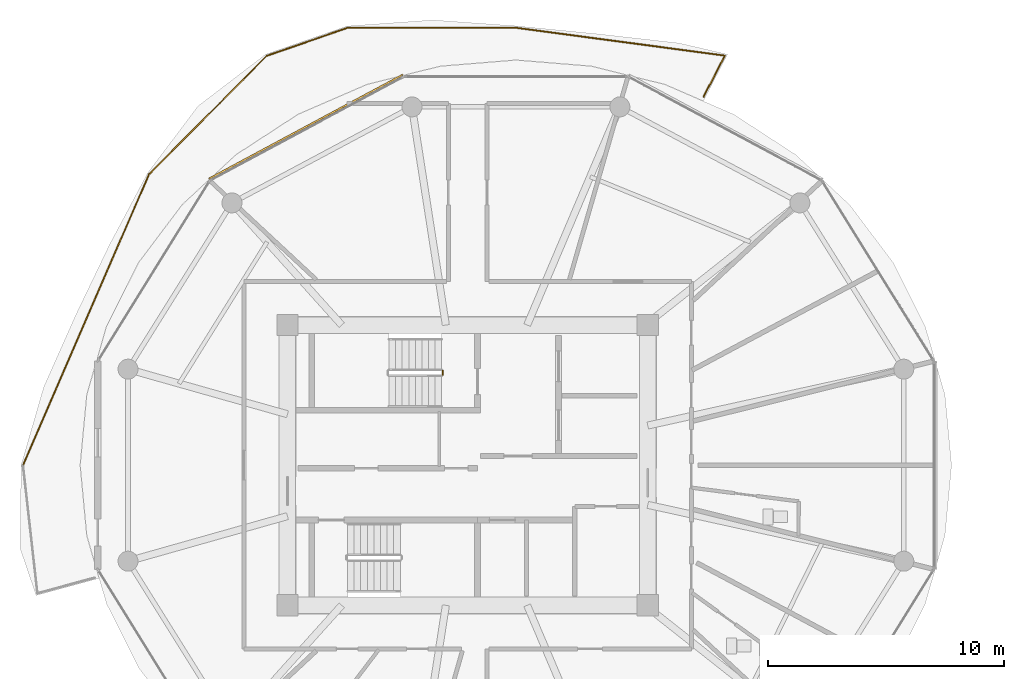
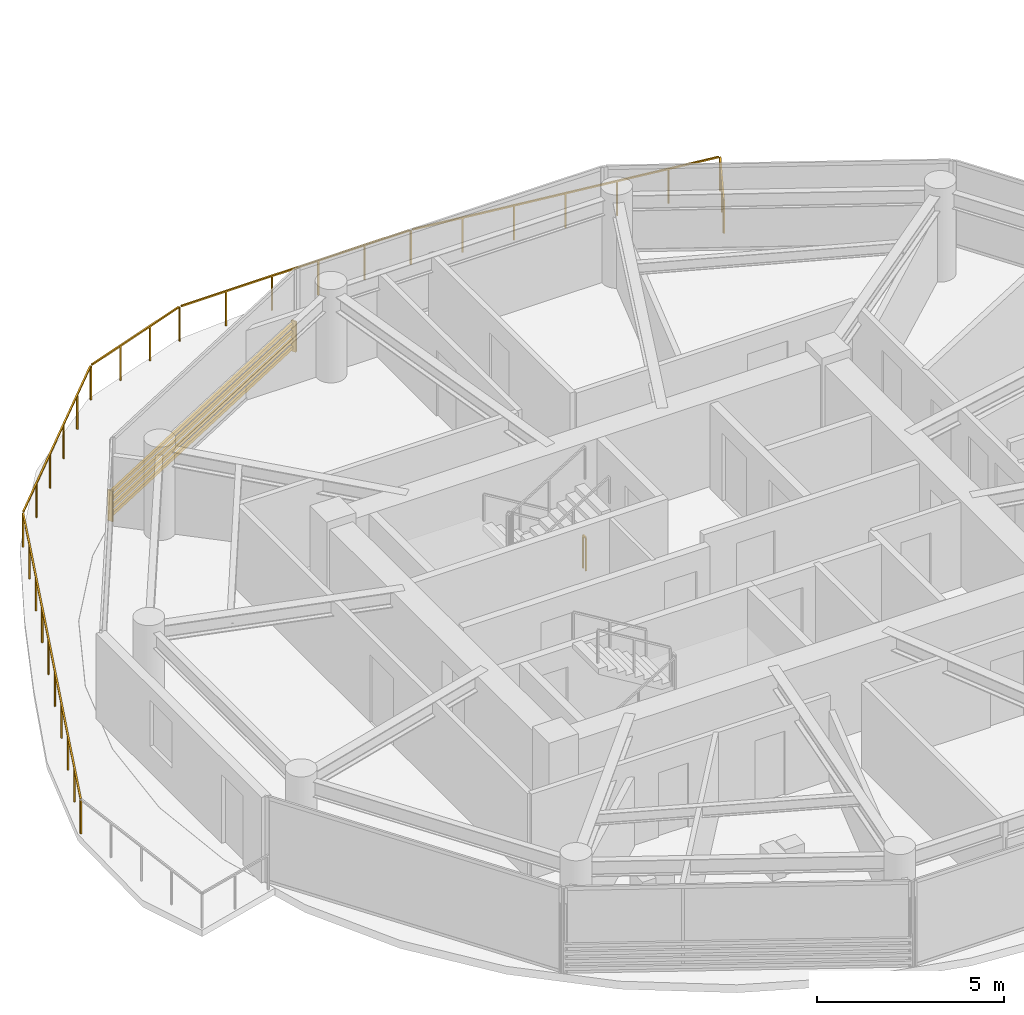
# One storey, part 21 of 25: 2 railings, 1 shading device.
"""IFC4 building model written with IfcOpenShell, lengths in metres."""

from ifc_helpers import new_model, si_unit, direction, frame, origin, origin_2d, place, context, subcontext, project, spatial, rectangle, extrude, source, transform, mapped, material, type_object, type_shapes, element, save


model = new_model("IFC4")

# Units and contexts
model_context = context("Model", 3, precision=1e-05, world=origin(), true_north=direction((0.0, 1.0)))
body_context = subcontext(model_context, "Body", "Model", "MODEL_VIEW")
ifc_project = project(units=[si_unit("LENGTHUNIT", "METRE"), si_unit("AREAUNIT", "SQUARE_METRE"), si_unit("VOLUMEUNIT", "CUBIC_METRE"), si_unit("PLANEANGLEUNIT", "RADIAN"), si_unit("MASSUNIT", "GRAM", prefix="KILO")], contexts=[model_context])

# Site, building, storey
site_placement = place(None, origin())
site = spatial("IfcSite", under=ifc_project, at=site_placement, CompositionType="ELEMENT")
building_placement = place(site_placement, origin())
building = spatial("IfcBuilding", under=site, at=building_placement, Name="Norrkilde Senior Care Towers", CompositionType="ELEMENT")
storey_placement = place(building_placement, frame((0.0, 0.0, 84.050048828125)))
storey = spatial("IfcBuildingStorey", under=building, at=storey_placement, Name="L25", CompositionType="ELEMENT", Elevation=84.050048828125)

# Railings
ifc_material_1 = material(Name="Anodised Aluminium", Category="aluminium")
railing_type_1 = type_object("IfcRailingType", Name="Balcony Swirl Ribbon Guardrail 1150", PredefinedType="GUARDRAIL", material=ifc_material_1)
railing_1_placement = place(storey_placement, frame((-46.882568359375, -0.011962890625, 0.0)))
element("IfcRailing", 1, at=railing_1_placement, inside=storey, type_object=railing_type_1, Name="L25 Perimeter Safety Guard 03", PredefinedType="GUARDRAIL", context=body_context, shape_type="SweptSolid", body=[
    extrude(rectangle(XDim=0.048095703125, YDim=0.048095703125, at=origin_2d()), frame((0.0, 0.0, 1.1259765625), z_axis=(0.397327602293, 0.917676836613, 0.0), x_axis=(-0.917676836613, 0.397327602293, 0.0)), (0.0, 0.0, 1.0), 13.42626953125),
    extrude(rectangle(XDim=0.048095703125, YDim=0.048095703125, at=origin_2d()), frame((5.379638671875, 12.387451171875, 1.1259765625), z_axis=(0.70467614196, 0.709529093802, 0.0), x_axis=(-0.709529093802, 0.70467614196, 0.0)), (0.0, 0.0, 1.0), 7.01171875),
    extrude(rectangle(XDim=0.048095703125, YDim=0.048095703125, at=origin_2d()), frame((10.387939453125, 17.40478515625, 1.1259765625), z_axis=(0.944878913368, 0.327419973538, 0.0), x_axis=(-0.327419973538, 0.944878913368, 0.0)), (0.0, 0.0, 1.0), 3.549560546875),
    extrude(rectangle(XDim=0.048095703125, YDim=0.048095703125, at=origin_2d()), frame((13.8212890625, 18.580322265625, 1.1259765625), z_axis=(0.99999966377, 0.000820035943, 0.0), x_axis=(-0.000820035943, 0.99999966377, 0.0)), (0.0, 0.0, 1.0), 7.0634765625),
    extrude(rectangle(XDim=0.048095703125, YDim=0.048095703125, at=origin_2d()), frame((20.96630859375, 18.580810546875, 1.1259765625), z_axis=(0.991237424485, -0.132092271918, 0.0), x_axis=(0.132092271918, 0.991237424485, 0.0)), (0.0, 0.0, 1.0), 8.87109375),
    extrude(rectangle(XDim=0.048095703125, YDim=0.048095703125, at=origin_2d()), frame((29.781494140625, 17.3671875, 1.1259765625), z_axis=(-0.457831452148, -0.889039010069, 0.0), x_axis=(0.889039010069, -0.457831452148, 0.0)), (0.0, 0.0, 1.0), 1.92138671875),
    extrude(rectangle(XDim=0.0419921875, YDim=0.0419921875, at=origin_2d()), origin(), (0.0, 0.0, 1.0), 1.099853515625),
    extrude(rectangle(XDim=0.0419921875, YDim=0.0419921875, at=origin_2d()), frame((0.594482421875, 1.373046875, 0.0)), (0.0, 0.0, 1.0), 1.099853515625),
    extrude(rectangle(XDim=0.0419921875, YDim=0.0419921875, at=origin_2d()), frame((1.18896484375, 2.746337890625, 0.0)), (0.0, 0.0, 1.0), 1.099853515625),
    extrude(rectangle(XDim=0.0419921875, YDim=0.0419921875, at=origin_2d()), frame((1.78369140625, 4.119384765625, 0.0)), (0.0, 0.0, 1.0), 1.099853515625),
    extrude(rectangle(XDim=0.0419921875, YDim=0.0419921875, at=origin_2d()), frame((2.378173828125, 5.49267578125, 0.0)), (0.0, 0.0, 1.0), 1.099853515625),
    extrude(rectangle(XDim=0.0419921875, YDim=0.0419921875, at=origin_2d()), frame((2.97265625, 6.86572265625, 0.0)), (0.0, 0.0, 1.0), 1.099853515625),
    extrude(rectangle(XDim=0.0419921875, YDim=0.0419921875, at=origin_2d()), frame((3.567138671875, 8.239013671875, 0.0)), (0.0, 0.0, 1.0), 1.099853515625),
    extrude(rectangle(XDim=0.0419921875, YDim=0.0419921875, at=origin_2d()), frame((4.161865234375, 9.612060546875, 0.0)), (0.0, 0.0, 1.0), 1.099853515625),
    extrude(rectangle(XDim=0.0419921875, YDim=0.0419921875, at=origin_2d()), frame((4.75634765625, 10.9853515625, 0.0)), (0.0, 0.0, 1.0), 1.099853515625),
    extrude(rectangle(XDim=0.0419921875, YDim=0.0419921875, at=origin_2d()), frame((5.350830078125, 12.3583984375, 0.0)), (0.0, 0.0, 1.0), 1.099853515625),
    extrude(rectangle(XDim=0.0419921875, YDim=0.0419921875, at=origin_2d()), frame((6.3505859375, 13.364990234375, 0.0)), (0.0, 0.0, 1.0), 1.099853515625),
    extrude(rectangle(XDim=0.0419921875, YDim=0.0419921875, at=origin_2d()), frame((7.350341796875, 14.37158203125, 0.0)), (0.0, 0.0, 1.0), 1.099853515625),
    extrude(rectangle(XDim=0.0419921875, YDim=0.0419921875, at=origin_2d()), frame((8.349853515625, 15.378173828125, 0.0)), (0.0, 0.0, 1.0), 1.099853515625),
    extrude(rectangle(XDim=0.0419921875, YDim=0.0419921875, at=origin_2d()), frame((9.349609375, 16.384765625, 0.0)), (0.0, 0.0, 1.0), 1.099853515625),
    extrude(rectangle(XDim=0.0419921875, YDim=0.0419921875, at=origin_2d()), frame((10.349365234375, 17.391357421875, 0.0)), (0.0, 0.0, 1.0), 1.099853515625),
    extrude(rectangle(XDim=0.0419921875, YDim=0.0419921875, at=origin_2d()), frame((11.4931640625, 17.78759765625, 0.0)), (0.0, 0.0, 1.0), 1.099853515625),
    extrude(rectangle(XDim=0.0419921875, YDim=0.0419921875, at=origin_2d()), frame((12.63671875, 18.18408203125, 0.0)), (0.0, 0.0, 1.0), 1.099853515625),
    extrude(rectangle(XDim=0.0419921875, YDim=0.0419921875, at=origin_2d()), frame((13.780517578125, 18.580322265625, 0.0)), (0.0, 0.0, 1.0), 1.099853515625),
    extrude(rectangle(XDim=0.0419921875, YDim=0.0419921875, at=origin_2d()), frame((15.20947265625, 18.58154296875, 0.0)), (0.0, 0.0, 1.0), 1.099853515625),
    extrude(rectangle(XDim=0.0419921875, YDim=0.0419921875, at=origin_2d()), frame((16.638671875, 18.582763671875, 0.0)), (0.0, 0.0, 1.0), 1.099853515625),
    extrude(rectangle(XDim=0.0419921875, YDim=0.0419921875, at=origin_2d()), frame((18.067626953125, 18.583740234375, 0.0)), (0.0, 0.0, 1.0), 1.099853515625),
    extrude(rectangle(XDim=0.0419921875, YDim=0.0419921875, at=origin_2d()), frame((19.496826171875, 18.5849609375, 0.0)), (0.0, 0.0, 1.0), 1.099853515625),
    extrude(rectangle(XDim=0.0419921875, YDim=0.0419921875, at=origin_2d()), frame((20.92578125, 18.586181640625, 0.0)), (0.0, 0.0, 1.0), 1.099853515625),
    extrude(rectangle(XDim=0.0419921875, YDim=0.0419921875, at=origin_2d()), frame((22.40478515625, 18.38916015625, 0.0)), (0.0, 0.0, 1.0), 1.099853515625),
    extrude(rectangle(XDim=0.0419921875, YDim=0.0419921875, at=origin_2d()), frame((23.884033203125, 18.19189453125, 0.0)), (0.0, 0.0, 1.0), 1.099853515625),
    extrude(rectangle(XDim=0.0419921875, YDim=0.0419921875, at=origin_2d()), frame((25.363037109375, 17.994873046875, 0.0)), (0.0, 0.0, 1.0), 1.099853515625),
    extrude(rectangle(XDim=0.0419921875, YDim=0.0419921875, at=origin_2d()), frame((26.842041015625, 17.7978515625, 0.0)), (0.0, 0.0, 1.0), 1.099853515625),
    extrude(rectangle(XDim=0.0419921875, YDim=0.0419921875, at=origin_2d()), frame((28.3212890625, 17.6005859375, 0.0)), (0.0, 0.0, 1.0), 1.099853515625),
    extrude(rectangle(XDim=0.0419921875, YDim=0.0419921875, at=origin_2d()), frame((29.80029296875, 17.403564453125, 0.0)), (0.0, 0.0, 1.0), 1.099853515625),
    extrude(rectangle(XDim=0.0419921875, YDim=0.0419921875, at=origin_2d()), frame((29.35107421875, 16.53125, 0.0)), (0.0, 0.0, 1.0), 1.099853515625),
    extrude(rectangle(XDim=0.0419921875, YDim=0.0419921875, at=origin_2d()), frame((28.90185546875, 15.658935546875, 0.0)), (0.0, 0.0, 1.0), 1.099853515625),
])
ifc_material_2 = material(Name="Stainless Steel", Category="steel")
railing_type_2 = type_object("IfcRailingType", Name="Stair and Terrace Guardrail 1100", PredefinedType="GUARDRAIL", material=ifc_material_2)
railing_2_placement = place(storey_placement, frame((-29.050048828125, 4.0, 0.0)))
element("IfcRailing", 2, at=railing_2_placement, inside=storey, type_object=railing_type_2, Name="L25 ST-W1 stair guard 4", PredefinedType="GUARDRAIL", context=body_context, shape_type="SweptSolid", body=[
    extrude(rectangle(XDim=0.048095703125, YDim=0.048095703125, at=origin_2d()), frame((0.0, 0.0, 1.076171875), z_axis=(0.0, -1.0, 0.0), x_axis=(1.0, 0.0, 0.0)), (0.0, 0.0, 1.0), 0.14990234375),
    extrude(rectangle(XDim=0.0419921875, YDim=0.0419921875, at=origin_2d()), origin(), (0.0, 0.0, 1.0), 1.050048828125),
    extrude(rectangle(XDim=0.0419921875, YDim=0.0419921875, at=origin_2d()), frame((0.0, -0.14990234375, 0.0)), (0.0, 0.0, 1.0), 1.050048828125),
])

# Shading device
ifc_material_3 = material(Name="Architectural Terracotta", Category="masonry")
shading_device_type = type_object("IfcShadingDeviceType", Name="Horizontal Terracotta Baguette Rack", PredefinedType="USERDEFINED", material=ifc_material_3)
shared_shape = source(origin(), body_context, "Body", "SweptSolid", [
    extrude(rectangle(XDim=0.070068359375, YDim=0.110107421875, at=origin_2d()), frame((0.0, 0.090087890625, 0.125), z_axis=(1.0, 0.0, 0.0), x_axis=(0.0, 1.0, 0.0)), (0.0, 0.0, 1.0), 9.3505859375),
    extrude(rectangle(XDim=0.070068359375, YDim=0.110107421875, at=origin_2d()), frame((0.0, 0.090087890625, 0.375), z_axis=(1.0, 0.0, 0.0), x_axis=(0.0, 1.0, 0.0)), (0.0, 0.0, 1.0), 9.3505859375),
    extrude(rectangle(XDim=0.070068359375, YDim=0.110107421875, at=origin_2d()), frame((0.0, 0.090087890625, 0.625), z_axis=(1.0, 0.0, 0.0), x_axis=(0.0, 1.0, 0.0)), (0.0, 0.0, 1.0), 9.3505859375),
    extrude(rectangle(XDim=0.070068359375, YDim=0.110107421875, at=origin_2d()), frame((0.0, 0.090087890625, 0.875), z_axis=(1.0, 0.0, 0.0), x_axis=(0.0, 1.0, 0.0)), (0.0, 0.0, 1.0), 9.3505859375),
    extrude(rectangle(XDim=0.050048828125, YDim=0.1552734375, at=origin_2d()), frame((0.02490234375, 0.047607421875, 0.0)), (0.0, 0.0, 1.0), 1.0),
    extrude(rectangle(XDim=0.050048828125, YDim=0.1552734375, at=origin_2d()), frame((9.32568359375, 0.047607421875, 0.0)), (0.0, 0.0, 1.0), 1.0),
])
type_shapes(shading_device_type, [shared_shape])
shading_device_placement = place(storey_placement, frame((-38.946533203125, 12.077392578125, 0.079833984375), z_axis=(0.0, 0.0, 1.0), x_axis=(0.881174934726, 0.472767624021, 0.0)))
element("IfcShadingDevice", 3, at=shading_device_placement, inside=storey, type_object=shading_device_type, Name="L25 Drum W Terracotta Baguette Screen 03", ObjectType="BAGUETTE", PredefinedType="USERDEFINED", context=body_context, shape_type="MappedRepresentation", body=[
    mapped(shared_shape, transform((0.0, 0.0, 0.0), x_axis=(1.0, 0.0, 0.0), y_axis=(0.0, 1.0, 0.0), z_axis=(0.0, 0.0, 1.0), scale=1.0)),
])

save(model, "model.ifc")
